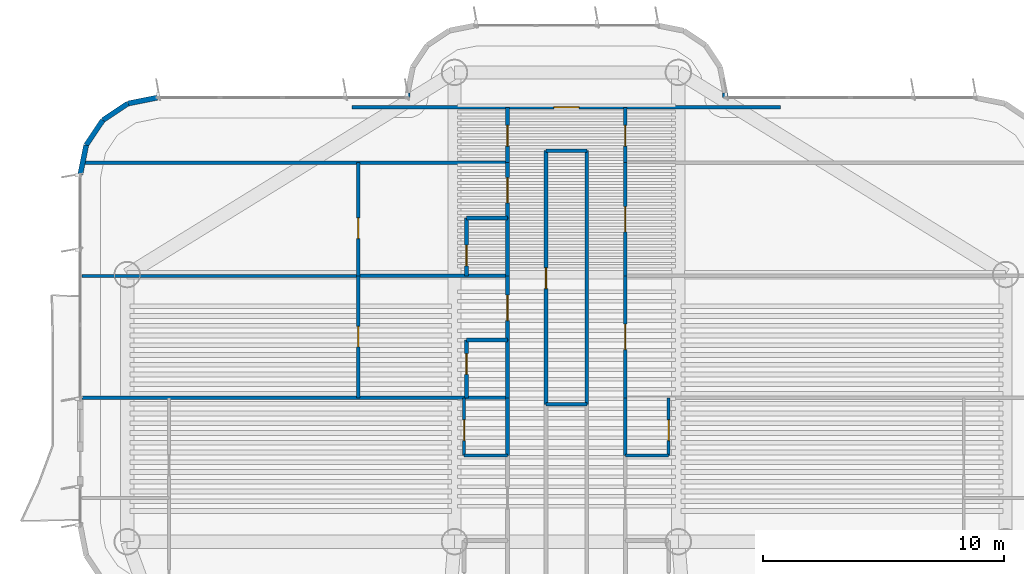
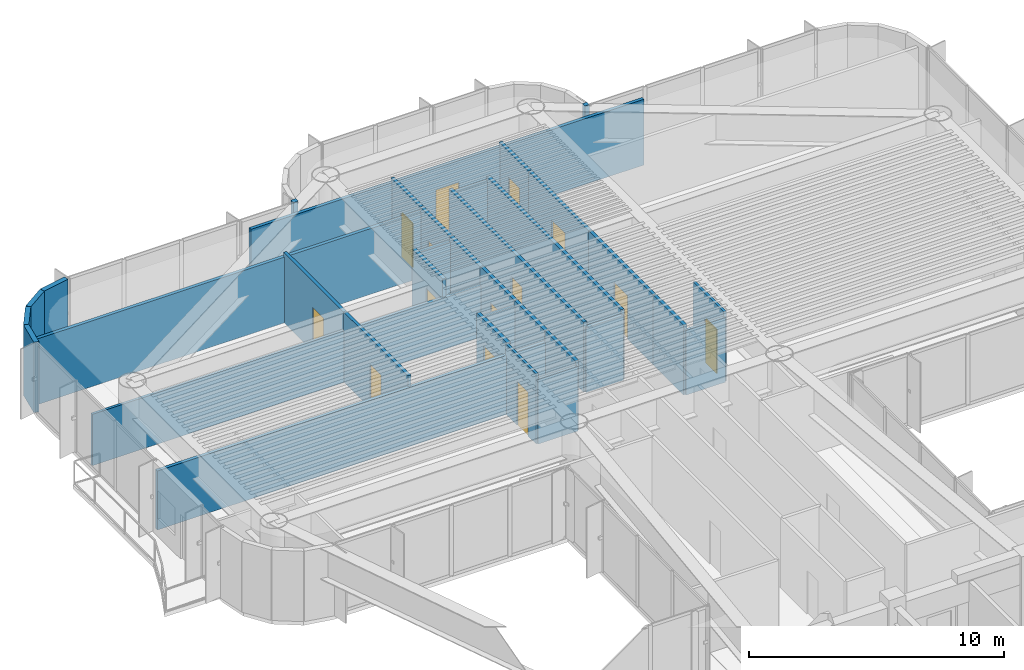
# One storey, part 10 of 13: 35 walls, 14 doors, 14 openings.
"""IFC4 building model written with IfcOpenShell, lengths in metres."""

from ifc_helpers import new_model, si_unit, direction, frame, frame_2d, origin, origin_2d, place, context, subcontext, project, spatial, rectangle, extrude, source, transform, mapped, material, layer, layer_set, type_object, element, fill, save


model = new_model("IFC4")

# Units and contexts
model_context = context("Model", 3, precision=1e-05, world=origin(), true_north=direction((0.0, 1.0)))
body_context = subcontext(model_context, "Body", "Model", "MODEL_VIEW")
ifc_project = project(units=[si_unit("LENGTHUNIT", "METRE"), si_unit("AREAUNIT", "SQUARE_METRE"), si_unit("VOLUMEUNIT", "CUBIC_METRE"), si_unit("PLANEANGLEUNIT", "RADIAN"), si_unit("MASSUNIT", "GRAM", prefix="KILO")], contexts=[model_context])

# Site, building, storey
site_placement = place(None, origin())
site = spatial("IfcSite", under=ifc_project, at=site_placement, CompositionType="ELEMENT")
building_placement = place(site_placement, origin())
building = spatial("IfcBuilding", under=site, at=building_placement, Name="Brelvock Crest Care Tower", CompositionType="ELEMENT")
storey_placement = place(building_placement, frame((0.0, 0.0, 209.340087890625)))
storey = spatial("IfcBuildingStorey", under=building, at=storey_placement, Name="L53", CompositionType="ELEMENT", Elevation=209.340087890625)

# Walls
ifc_material_1 = material(Name="Precast concrete N40 (40 MPa)", Category="concrete")
ifc_layer_1 = layer(ifc_material_1, 0.215087890625, Name="WL-EX2")
ifc_layer_set_1 = layer_set([ifc_layer_1], Name="Precast concrete N40 (40 MPa)")
wall_type_1 = type_object("IfcWallType", Name="WL-EX2", PredefinedType="SOLIDWALL", material=ifc_layer_set_1)
for number, where, z_axis, x_axis, name in (
    (1, (15.800048828125, 50.199951171875, 0.0), (0.0, 0.0, 1.0), (0.195138390419, 0.980775717779, 0.0), "L53 Rounded Corner Wall 18"),
    (2, (16.043701171875, 51.424560546875, 0.0), (0.0, 0.0, 1.0), (0.555557312883, 0.831478245117, 0.0), "L53 Rounded Corner Wall 19"),
    (3, (16.7373046875, 52.462646484375, 0.0), (0.0, 0.0, 1.0), (0.831387912822, 0.555692485475, 0.0), "L53 Rounded Corner Wall 20"),
    (4, (17.775390625, 53.156494140625, 0.0), (0.0, 0.0, 1.0), (0.980813122964, 0.194950295773, 0.0), "L53 Rounded Corner Wall 21"),
):
    element("IfcWall", number, at=place(storey_placement, frame(where, z_axis=z_axis, x_axis=x_axis)), inside=storey, type_object=wall_type_1, Name=name, PredefinedType="SOLIDWALL", context=body_context, shape_type="SweptSolid", body=[
        extrude(rectangle(XDim=1.24853515625, YDim=0.215087890625, at=frame_2d((0.624267578125, 0.0))), origin(), (0.0, 0.0, 1.0), 3.371826171875),
    ])
for number, where, z_axis, x_axis, name in (
    (5, (29.39990234375, 53.39990234375, 0.0), (0.0, 0.0, 1.0), (0.0, 1.0, 0.0), "L53 Rounded Corner Wall 23"),
    (6, (42.60009765625, 53.60009765625, 0.0), (0.0, 0.0, 1.0), (0.0, -1.0, 0.0), "L53 Rounded Corner Wall 33"),
):
    element("IfcWall", number, at=place(storey_placement, frame(where, z_axis=z_axis, x_axis=x_axis)), inside=storey, type_object=wall_type_1, Name=name, PredefinedType="SOLIDWALL", context=body_context, shape_type="SweptSolid", body=[
        extrude(rectangle(XDim=0.2001953125, YDim=0.215087890625, at=frame_2d((0.10009765625, 0.0))), origin(), (0.0, 0.0, 1.0), 3.371826171875),
    ])
ifc_material_2 = material(Name="Masonry Blockwork Acoustic Partition", Category="masonry")
ifc_layer_2 = layer(ifc_material_2, 0.14990234375, Name="WL-INT1")
ifc_layer_set_2 = layer_set([ifc_layer_2], Name="Masonry Blockwork Acoustic Partition")
wall_type_2 = type_object("IfcWallType", Name="WL-INT1", PredefinedType="PARTITIONING", material=ifc_layer_set_2)
wall_1_placement = place(storey_placement, frame((35.14990234375, 40.659912109375, 0.0), z_axis=(0.0, 0.0, 1.0), x_axis=(1.0, 0.0, 0.0)))
element("IfcWall", 7, at=wall_1_placement, inside=storey, type_object=wall_type_2, Name="L53 Interior Wall WL-BX-L53-ISKT-S", PredefinedType="PARTITIONING", context=body_context, shape_type="SweptSolid", body=[
    extrude(rectangle(XDim=1.7001953125, YDim=0.14990234375, at=frame_2d((0.85009765625, 0.0))), origin(), (0.0, 0.0, 1.0), 3.100830078125),
])
wall_2_placement = place(storey_placement, frame((15.8798828125, 40.926025390625, 0.0), z_axis=(0.0, 0.0, 1.0), x_axis=(1.0, 0.0, 0.0)))
element("IfcWall", 8, at=wall_2_placement, inside=storey, type_object=wall_type_2, Name="L53 Interior Wall WL-BX-L53-FL-WF1-N", PredefinedType="PARTITIONING", context=body_context, shape_type="SweptSolid", body=[
    extrude(rectangle(XDim=17.670166015625, YDim=0.14990234375, at=frame_2d((8.8349609375, 0.0))), origin(), (0.0, 0.0, 1.0), 2.823974609375),
])
wall_3_placement = place(storey_placement, frame((27.35009765625, 45.993896484375, 0.0), z_axis=(0.0, 0.0, 1.0), x_axis=(1.0, 0.0, 0.0)))
element("IfcWall", 9, at=wall_3_placement, inside=storey, type_object=wall_type_2, Name="L53 Interior Wall WL-BX-L53-CS-WFC2-N", PredefinedType="PARTITIONING", context=body_context, shape_type="SweptSolid", body=[
    extrude(rectangle(XDim=6.199951171875, YDim=0.14990234375, at=frame_2d((3.10009765625, 0.0))), origin(), (0.0, 0.0, 1.0), 2.45703125),
])
wall_4_placement = place(storey_placement, frame((15.98095703125, 50.699951171875, 0.0), z_axis=(0.0, 0.0, 1.0), x_axis=(1.0, 0.0, 0.0)))
element("IfcWall", 10, at=wall_4_placement, inside=storey, type_object=wall_type_2, Name="L53 Interior Wall WL-BX-L53-NALW-S", PredefinedType="PARTITIONING", context=body_context, shape_type="SweptSolid", body=[
    extrude(rectangle(XDim=17.569091796875, YDim=0.14990234375, at=frame_2d((8.78466796875, 0.0))), origin(), (0.0, 0.0, 1.0), 3.14990234375),
])
wall_5_placement = place(storey_placement, frame((35.14990234375, 51.199951171875, 0.0), z_axis=(0.0, 0.0, 1.0), x_axis=(1.0, 0.0, 0.0)))
element("IfcWall", 11, at=wall_5_placement, inside=storey, type_object=wall_type_2, Name="L53 Interior Wall WL-BX-L53-ISKT-N", PredefinedType="PARTITIONING", context=body_context, shape_type="SweptSolid", body=[
    extrude(rectangle(XDim=1.7001953125, YDim=0.14990234375, at=frame_2d((0.85009765625, 0.0))), origin(), (0.0, 0.0, 1.0), 3.14990234375),
])

# Wall, opening, door
wall_6_placement = place(storey_placement, frame((27.10009765625, 53.0, 0.0), z_axis=(0.0, 0.0, 1.0), x_axis=(1.0, 0.0, 0.0)))
wall_6 = element("IfcWall", 12, at=wall_6_placement, inside=storey, type_object=wall_type_2, Name="L53 Interior Wall WL-RM-L53-NHUB", PredefinedType="PARTITIONING", context=body_context, shape_type="SweptSolid", body=[
    extrude(rectangle(XDim=17.7998046875, YDim=0.14990234375, at=frame_2d((8.89990234375, 0.0))), origin(), (0.0, 0.0, 1.0), 3.14990234375),
])
opening_1_placement = place(wall_6_placement, frame((8.375, 0.0, 0.0)))
opening_1 = element("IfcOpeningElement", 13, at=opening_1_placement, cuts=wall_6, Name="Opening CLD-1", PredefinedType="OPENING", context=body_context, shape_type="SweptSolid", body=[
    extrude(rectangle(XDim=1.050048828125, YDim=2.10009765625, at=origin_2d()), frame((0.52490234375, 0.0849609375, 1.050048828125), z_axis=(0.0, -1.0, 0.0), x_axis=(1.0, 0.0, 0.0)), (0.0, 0.0, 1.0), 0.169921875),
])
ifc_material_3 = material(Name="Engineered Hardwood Timber", Category="wood")
door_type_1 = type_object("IfcDoorType", Name="DR-CLN1", OperationType="NOTDEFINED", PredefinedType="DOOR", material=ifc_material_3)
shared_shape_1 = source(origin(), body_context, "Body", "SweptSolid", [
    extrude(rectangle(XDim=1.050048828125, YDim=2.10009765625, at=origin_2d()), frame((0.52490234375, 0.02490234375, 1.050048828125), z_axis=(0.0, -1.0, 0.0), x_axis=(1.0, 0.0, 0.0)), (0.0, 0.0, 1.0), 0.050048828125),
])
door_1_placement = place(opening_1_placement, origin())
door_1 = element("IfcDoor", 14, at=door_1_placement, inside=storey, type_object=door_type_1, Name="L53 Harbour Lookout Dining Salon Door NHUB", OperationType="SINGLE_SWING_LEFT", OverallHeight=2.10009765625, OverallWidth=1.050048828125, PredefinedType="DOOR", context=body_context, shape_type="MappedRepresentation", body=[
    mapped(shared_shape_1, transform((0.0, 0.0, 0.0), x_axis=(1.0, 0.0, 0.0), y_axis=(0.0, 1.0, 0.0), z_axis=(0.0, 0.0, 1.0), scale=1.0)),
])
fill(opening_1, door_1)

wall_7_placement = place(storey_placement, frame((27.35009765625, 40.926025390625, 0.0), z_axis=(0.0, 0.0, 1.0), x_axis=(0.0, 1.0, 0.0)))
wall_7 = element("IfcWall", 15, at=wall_7_placement, inside=storey, type_object=wall_type_2, Name="L53 Interior Wall WL-RM-L53-WFC2S", PredefinedType="PARTITIONING", context=body_context, shape_type="SweptSolid", body=[
    extrude(rectangle(XDim=5.06787109375, YDim=0.14990234375, at=frame_2d((2.533935546875, 0.0))), origin(), (0.0, 0.0, 1.0), 3.341796875),
])
opening_2_placement = place(wall_7_placement, frame((2.114013671875, 0.0, 0.0)))
opening_2 = element("IfcOpeningElement", 16, at=opening_2_placement, cuts=wall_7, Name="Opening ID-1", PredefinedType="OPENING", context=body_context, shape_type="SweptSolid", body=[
    extrude(rectangle(XDim=0.860107421875, YDim=2.10009765625, at=origin_2d()), frame((0.43017578125, 0.0849609375, 1.050048828125), z_axis=(0.0, -1.0, 0.0), x_axis=(1.0, 0.0, 0.0)), (0.0, 0.0, 1.0), 0.169921875),
])
door_type_2 = type_object("IfcDoorType", Name="DR-INT1", OperationType="NOTDEFINED", PredefinedType="DOOR", material=ifc_material_3)
shared_shape_2 = source(origin(), body_context, "Body", "SweptSolid", [
    extrude(rectangle(XDim=0.860107421875, YDim=2.10009765625, at=origin_2d()), frame((0.43017578125, 0.02490234375, 1.050048828125), z_axis=(0.0, -1.0, 0.0), x_axis=(1.0, 0.0, 0.0)), (0.0, 0.0, 1.0), 0.050048828125),
])
door_2_placement = place(opening_2_placement, origin())
door_2 = element("IfcDoor", 17, at=door_2_placement, inside=storey, type_object=door_type_2, Name="L53 Assisted Care Mobility Store Door WFC2S", OperationType="SINGLE_SWING_LEFT", OverallHeight=2.10009765625, OverallWidth=0.860107421875, PredefinedType="DOOR", context=body_context, shape_type="MappedRepresentation", body=[
    mapped(shared_shape_2, transform((0.0, 0.0, 0.0), x_axis=(1.0, 0.0, 0.0), y_axis=(0.0, 1.0, 0.0), z_axis=(0.0, 0.0, 1.0), scale=1.0)),
])
fill(opening_2, door_2)

wall_8_placement = place(storey_placement, frame((27.35009765625, 45.993896484375, 0.0), z_axis=(0.0, 0.0, 1.0), x_axis=(0.0, 1.0, 0.0)))
wall_8 = element("IfcWall", 18, at=wall_8_placement, inside=storey, type_object=wall_type_2, Name="L53 Interior Wall WL-RM-L53-WFC3S", PredefinedType="PARTITIONING", context=body_context, shape_type="SweptSolid", body=[
    extrude(rectangle(XDim=4.7060546875, YDim=0.14990234375, at=frame_2d((2.35302734375, 0.0))), origin(), (0.0, 0.0, 1.0), 3.341796875),
])
opening_3_placement = place(wall_8_placement, frame((1.5458984375, 0.0, 0.0)))
opening_3 = element("IfcOpeningElement", 19, at=opening_3_placement, cuts=wall_8, Name="Opening ID-1", PredefinedType="OPENING", context=body_context, shape_type="SweptSolid", body=[
    extrude(rectangle(XDim=0.860107421875, YDim=2.10009765625, at=origin_2d()), frame((0.43017578125, 0.0849609375, 1.050048828125), z_axis=(0.0, -1.0, 0.0), x_axis=(1.0, 0.0, 0.0)), (0.0, 0.0, 1.0), 0.169921875),
])
door_3_placement = place(opening_3_placement, origin())
door_3 = element("IfcDoor", 20, at=door_3_placement, inside=storey, type_object=door_type_2, Name="L53 Assisted Care Mobility Store Door WFC3S", OperationType="SINGLE_SWING_LEFT", OverallHeight=2.10009765625, OverallWidth=0.860107421875, PredefinedType="DOOR", context=body_context, shape_type="MappedRepresentation", body=[
    mapped(shared_shape_2, transform((0.0, 0.0, 0.0), x_axis=(1.0, 0.0, 0.0), y_axis=(0.0, 1.0, 0.0), z_axis=(0.0, 0.0, 1.0), scale=1.0)),
])
fill(opening_3, door_3)

# Wall
wall_9_placement = place(storey_placement, frame((33.550048828125, 38.52587890625, 0.0), z_axis=(0.0, 0.0, 1.0), x_axis=(0.0, 1.0, 0.0)))
element("IfcWall", 21, at=wall_9_placement, inside=storey, type_object=wall_type_2, Name="L53 Interior Wall WL-UCK-L53-WF1", PredefinedType="PARTITIONING", context=body_context, shape_type="SweptSolid", body=[
    extrude(rectangle(XDim=2.400146484375, YDim=0.14990234375, at=frame_2d((1.2001953125, 0.0))), origin(), (0.0, 0.0, 1.0), 3.341796875),
])

# Wall, opening, door
wall_10_placement = place(storey_placement, frame((33.550048828125, 43.325927734375, 0.0), z_axis=(0.0, 0.0, 1.0), x_axis=(0.0, 1.0, 0.0)))
wall_10 = element("IfcWall", 22, at=wall_10_placement, inside=storey, type_object=wall_type_2, Name="L53 Interior Wall WL-CENT-L53-WFC2", PredefinedType="PARTITIONING", context=body_context, shape_type="SweptSolid", body=[
    extrude(rectangle(XDim=2.66796875, YDim=0.14990234375, at=frame_2d((1.333984375, 0.0))), origin(), (0.0, 0.0, 1.0), 3.341796875),
])
opening_4_placement = place(wall_10_placement, frame((0.81396484375, 0.0, 0.0)))
opening_4 = element("IfcOpeningElement", 23, at=opening_4_placement, cuts=wall_10, Name="Opening CD-1", PredefinedType="OPENING", context=body_context, shape_type="SweptSolid", body=[
    extrude(rectangle(XDim=1.050048828125, YDim=2.10009765625, at=origin_2d()), frame((0.52490234375, 0.0849609375, 1.050048828125), z_axis=(0.0, -1.0, 0.0), x_axis=(1.0, 0.0, 0.0)), (0.0, 0.0, 1.0), 0.169921875),
])
door_type_3 = type_object("IfcDoorType", Name="DR-CARE1", OperationType="NOTDEFINED", PredefinedType="DOOR", material=ifc_material_3)
shared_shape_3 = source(origin(), body_context, "Body", "SweptSolid", [
    extrude(rectangle(XDim=1.050048828125, YDim=2.10009765625, at=origin_2d()), frame((0.52490234375, 0.02490234375, 1.050048828125), z_axis=(0.0, -1.0, 0.0), x_axis=(1.0, 0.0, 0.0)), (0.0, 0.0, 1.0), 0.050048828125),
])
door_4_placement = place(opening_4_placement, origin())
door_4 = element("IfcDoor", 24, at=door_4_placement, inside=storey, type_object=door_type_3, Name="L53 Care Suite Door WFC2", OperationType="SINGLE_SWING_LEFT", OverallHeight=2.10009765625, OverallWidth=1.050048828125, PredefinedType="DOOR", context=body_context, shape_type="MappedRepresentation", body=[
    mapped(shared_shape_3, transform((0.0, 0.0, 0.0), x_axis=(1.0, 0.0, 0.0), y_axis=(0.0, 1.0, 0.0), z_axis=(0.0, 0.0, 1.0), scale=1.0)),
])
fill(opening_4, door_4)

wall_11_placement = place(storey_placement, frame((33.550048828125, 48.39404296875, 0.0), z_axis=(0.0, 0.0, 1.0), x_axis=(0.0, 1.0, 0.0)))
wall_11 = element("IfcWall", 25, at=wall_11_placement, inside=storey, type_object=wall_type_2, Name="L53 Interior Wall WL-CENT-L53-WFC3", PredefinedType="PARTITIONING", context=body_context, shape_type="SweptSolid", body=[
    extrude(rectangle(XDim=2.305908203125, YDim=0.14990234375, at=frame_2d((1.15283203125, 0.0))), origin(), (0.0, 0.0, 1.0), 3.341796875),
])
opening_5_placement = place(wall_11_placement, frame((0.633056640625, 0.0, 0.0)))
opening_5 = element("IfcOpeningElement", 26, at=opening_5_placement, cuts=wall_11, Name="Opening CD-1", PredefinedType="OPENING", context=body_context, shape_type="SweptSolid", body=[
    extrude(rectangle(XDim=1.050048828125, YDim=2.10009765625, at=origin_2d()), frame((0.52490234375, 0.0849609375, 1.050048828125), z_axis=(0.0, -1.0, 0.0), x_axis=(1.0, 0.0, 0.0)), (0.0, 0.0, 1.0), 0.169921875),
])
door_5_placement = place(opening_5_placement, origin())
door_5 = element("IfcDoor", 27, at=door_5_placement, inside=storey, type_object=door_type_3, Name="L53 Care Suite Door WFC3", OperationType="SINGLE_SWING_LEFT", OverallHeight=2.10009765625, OverallWidth=1.050048828125, PredefinedType="DOOR", context=body_context, shape_type="MappedRepresentation", body=[
    mapped(shared_shape_3, transform((0.0, 0.0, 0.0), x_axis=(1.0, 0.0, 0.0), y_axis=(0.0, 1.0, 0.0), z_axis=(0.0, 0.0, 1.0), scale=1.0)),
])
fill(opening_5, door_5)

wall_12_placement = place(storey_placement, frame((33.550048828125, 50.699951171875, 0.0), z_axis=(0.0, 0.0, 1.0), x_axis=(0.0, 1.0, 0.0)))
wall_12 = element("IfcWall", 28, at=wall_12_placement, inside=storey, type_object=wall_type_2, Name="L53 Interior Wall WL-RM-L53-NALW", PredefinedType="PARTITIONING", context=body_context, shape_type="SweptSolid", body=[
    extrude(rectangle(XDim=2.300048828125, YDim=0.14990234375, at=frame_2d((1.14990234375, 0.0))), origin(), (0.0, 0.0, 1.0), 3.341796875),
])
opening_6_placement = place(wall_12_placement, frame((0.68994140625, 0.0, 0.0)))
opening_6 = element("IfcOpeningElement", 29, at=opening_6_placement, cuts=wall_12, Name="Opening ID-1", PredefinedType="OPENING", context=body_context, shape_type="SweptSolid", body=[
    extrude(rectangle(XDim=0.860107421875, YDim=2.10009765625, at=origin_2d()), frame((0.43017578125, 0.0849609375, 1.050048828125), z_axis=(0.0, -1.0, 0.0), x_axis=(1.0, 0.0, 0.0)), (0.0, 0.0, 1.0), 0.169921875),
])
door_6_placement = place(opening_6_placement, origin())
door_6 = element("IfcDoor", 30, at=door_6_placement, inside=storey, type_object=door_type_2, Name="L53 North West Sun Alcove Door NALW", OperationType="SINGLE_SWING_LEFT", OverallHeight=2.10009765625, OverallWidth=0.860107421875, PredefinedType="DOOR", context=body_context, shape_type="MappedRepresentation", body=[
    mapped(shared_shape_2, transform((0.0, 0.0, 0.0), x_axis=(1.0, 0.0, 0.0), y_axis=(0.0, 1.0, 0.0), z_axis=(0.0, 0.0, 1.0), scale=1.0)),
])
fill(opening_6, door_6)

wall_13_placement = place(storey_placement, frame((35.14990234375, 40.659912109375, 0.0), z_axis=(0.0, 0.0, 1.0), x_axis=(0.0, 1.0, 0.0)))
wall_13 = element("IfcWall", 31, at=wall_13_placement, inside=storey, type_object=wall_type_2, Name="L53 Interior Wall WL-RM-L53-ISKT", PredefinedType="PARTITIONING", context=body_context, shape_type="SweptSolid", body=[
    extrude(rectangle(XDim=10.5400390625, YDim=0.14990234375, at=frame_2d((5.27001953125, 0.0))), origin(), (0.0, 0.0, 1.0), 3.341796875),
])
opening_7_placement = place(wall_13_placement, frame((4.81005859375, 0.0, 0.0)))
opening_7 = element("IfcOpeningElement", 32, at=opening_7_placement, cuts=wall_13, Name="Opening ID-1", PredefinedType="OPENING", context=body_context, shape_type="SweptSolid", body=[
    extrude(rectangle(XDim=0.860107421875, YDim=2.10009765625, at=origin_2d()), frame((0.43017578125, 0.0849609375, 1.050048828125), z_axis=(0.0, -1.0, 0.0), x_axis=(1.0, 0.0, 0.0)), (0.0, 0.0, 1.0), 0.169921875),
])
door_7_placement = place(opening_7_placement, origin())
door_7 = element("IfcDoor", 33, at=door_7_placement, inside=storey, type_object=door_type_2, Name="L53 Communal Tea and Nutrition Pantry Door ISKT", OperationType="SINGLE_SWING_LEFT", OverallHeight=2.10009765625, OverallWidth=0.860107421875, PredefinedType="DOOR", context=body_context, shape_type="MappedRepresentation", body=[
    mapped(shared_shape_2, transform((0.0, 0.0, 0.0), x_axis=(1.0, 0.0, 0.0), y_axis=(0.0, 1.0, 0.0), z_axis=(0.0, 0.0, 1.0), scale=1.0)),
])
fill(opening_7, door_7)

# Walls
wall_14_placement = place(storey_placement, frame((36.85009765625, 40.659912109375, 0.0), z_axis=(0.0, 0.0, 1.0), x_axis=(0.0, 1.0, 0.0)))
element("IfcWall", 34, at=wall_14_placement, inside=storey, type_object=wall_type_2, Name="L53 Interior Wall WL-BX-L53-ISKT-E", PredefinedType="PARTITIONING", context=body_context, shape_type="SweptSolid", body=[
    extrude(rectangle(XDim=10.5400390625, YDim=0.14990234375, at=frame_2d((5.27001953125, 0.0))), origin(), (0.0, 0.0, 1.0), 3.341796875),
])
wall_15_placement = place(storey_placement, frame((38.449951171875, 38.52587890625, 0.0), z_axis=(0.0, 0.0, 1.0), x_axis=(0.0, 1.0, 0.0)))
element("IfcWall", 35, at=wall_15_placement, inside=storey, type_object=wall_type_2, Name="L53 Interior Wall WL-UCK-L53-EF1", PredefinedType="PARTITIONING", context=body_context, shape_type="SweptSolid", body=[
    extrude(rectangle(XDim=2.400146484375, YDim=0.14990234375, at=frame_2d((1.2001953125, 0.0))), origin(), (0.0, 0.0, 1.0), 3.341796875),
])

# Wall, opening, door
wall_16_placement = place(storey_placement, frame((38.449951171875, 40.926025390625, 0.0), z_axis=(0.0, 0.0, 1.0), x_axis=(0.0, 1.0, 0.0)))
wall_16 = element("IfcWall", 36, at=wall_16_placement, inside=storey, type_object=wall_type_2, Name="L53 Interior Wall WL-RM-L53-EFL2", PredefinedType="PARTITIONING", context=body_context, shape_type="SweptSolid", body=[
    extrude(rectangle(XDim=5.06787109375, YDim=0.14990234375, at=frame_2d((2.533935546875, 0.0))), origin(), (0.0, 0.0, 1.0), 3.341796875),
])
opening_8_placement = place(wall_16_placement, frame((2.009033203125, 0.0, 0.0)))
opening_8 = element("IfcOpeningElement", 37, at=opening_8_placement, cuts=wall_16, Name="Opening CLD-1", PredefinedType="OPENING", context=body_context, shape_type="SweptSolid", body=[
    extrude(rectangle(XDim=1.050048828125, YDim=2.10009765625, at=origin_2d()), frame((0.52490234375, 0.0849609375, 1.050048828125), z_axis=(0.0, -1.0, 0.0), x_axis=(1.0, 0.0, 0.0)), (0.0, 0.0, 1.0), 0.169921875),
])
door_8_placement = place(opening_8_placement, origin())
door_8 = element("IfcDoor", 38, at=door_8_placement, inside=storey, type_object=door_type_1, Name="L53 Sky Neighbourhood Drawing Room Door EFL2", OperationType="SINGLE_SWING_LEFT", OverallHeight=2.10009765625, OverallWidth=1.050048828125, PredefinedType="DOOR", context=body_context, shape_type="MappedRepresentation", body=[
    mapped(shared_shape_1, transform((0.0, 0.0, 0.0), x_axis=(1.0, 0.0, 0.0), y_axis=(0.0, 1.0, 0.0), z_axis=(0.0, 0.0, 1.0), scale=1.0)),
])
fill(opening_8, door_8)

wall_17_placement = place(storey_placement, frame((38.449951171875, 45.993896484375, 0.0), z_axis=(0.0, 0.0, 1.0), x_axis=(0.0, 1.0, 0.0)))
wall_17 = element("IfcWall", 39, at=wall_17_placement, inside=storey, type_object=wall_type_2, Name="L53 Interior Wall WL-RM-L53-EFL3", PredefinedType="PARTITIONING", context=body_context, shape_type="SweptSolid", body=[
    extrude(rectangle(XDim=4.7060546875, YDim=0.14990234375, at=frame_2d((2.35302734375, 0.0))), origin(), (0.0, 0.0, 1.0), 3.341796875),
])
opening_9_placement = place(wall_17_placement, frame((1.827880859375, 0.0, 0.0)))
opening_9 = element("IfcOpeningElement", 40, at=opening_9_placement, cuts=wall_17, Name="Opening CLD-1", PredefinedType="OPENING", context=body_context, shape_type="SweptSolid", body=[
    extrude(rectangle(XDim=1.050048828125, YDim=2.10009765625, at=origin_2d()), frame((0.52490234375, 0.0849609375, 1.050048828125), z_axis=(0.0, -1.0, 0.0), x_axis=(1.0, 0.0, 0.0)), (0.0, 0.0, 1.0), 0.169921875),
])
door_9_placement = place(opening_9_placement, origin())
door_9 = element("IfcDoor", 41, at=door_9_placement, inside=storey, type_object=door_type_1, Name="L53 Sky Neighbourhood Drawing Room Door EFL3", OperationType="SINGLE_SWING_LEFT", OverallHeight=2.10009765625, OverallWidth=1.050048828125, PredefinedType="DOOR", context=body_context, shape_type="MappedRepresentation", body=[
    mapped(shared_shape_1, transform((0.0, 0.0, 0.0), x_axis=(1.0, 0.0, 0.0), y_axis=(0.0, 1.0, 0.0), z_axis=(0.0, 0.0, 1.0), scale=1.0)),
])
fill(opening_9, door_9)

wall_18_placement = place(storey_placement, frame((38.449951171875, 50.699951171875, 0.0), z_axis=(0.0, 0.0, 1.0), x_axis=(0.0, 1.0, 0.0)))
wall_18 = element("IfcWall", 42, at=wall_18_placement, inside=storey, type_object=wall_type_2, Name="L53 Interior Wall WL-RM-L53-NALE", PredefinedType="PARTITIONING", context=body_context, shape_type="SweptSolid", body=[
    extrude(rectangle(XDim=2.300048828125, YDim=0.14990234375, at=frame_2d((1.14990234375, 0.0))), origin(), (0.0, 0.0, 1.0), 3.341796875),
])
opening_10_placement = place(wall_18_placement, frame((0.68994140625, 0.0, 0.0)))
opening_10 = element("IfcOpeningElement", 43, at=opening_10_placement, cuts=wall_18, Name="Opening ID-1", PredefinedType="OPENING", context=body_context, shape_type="SweptSolid", body=[
    extrude(rectangle(XDim=0.860107421875, YDim=2.10009765625, at=origin_2d()), frame((0.43017578125, 0.0849609375, 1.050048828125), z_axis=(0.0, -1.0, 0.0), x_axis=(1.0, 0.0, 0.0)), (0.0, 0.0, 1.0), 0.169921875),
])
door_10_placement = place(opening_10_placement, origin())
door_10 = element("IfcDoor", 44, at=door_10_placement, inside=storey, type_object=door_type_2, Name="L53 North East Tea Alcove Door NALE", OperationType="SINGLE_SWING_LEFT", OverallHeight=2.10009765625, OverallWidth=0.860107421875, PredefinedType="DOOR", context=body_context, shape_type="MappedRepresentation", body=[
    mapped(shared_shape_2, transform((0.0, 0.0, 0.0), x_axis=(1.0, 0.0, 0.0), y_axis=(0.0, 1.0, 0.0), z_axis=(0.0, 0.0, 1.0), scale=1.0)),
])
fill(opening_10, door_10)

# Walls
ifc_material_4 = material(Name="Gypsum Plasterboard Partition", Category="gypsum")
ifc_layer_3 = layer(ifc_material_4, 0.1201171875, Name="WL-INT2")
ifc_layer_set_3 = layer_set([ifc_layer_3], Name="Gypsum Plasterboard Partition")
wall_type_3 = type_object("IfcWallType", Name="WL-INT2", PredefinedType="PARTITIONING", material=ifc_layer_set_3)
for number, where, z_axis, x_axis, name in (
    (45, (31.75, 38.52587890625, 0.0), (0.0, 0.0, 1.0), (1.0, 0.0, 0.0), "L53 Interior Wall WL-UKIT2-L53-WF1"),
    (46, (38.449951171875, 38.52587890625, 0.0), (0.0, 0.0, 1.0), (1.0, 0.0, 0.0), "L53 Interior Wall WL-UKIT2-L53-EF1"),
):
    element("IfcWall", number, at=place(storey_placement, frame(where, z_axis=z_axis, x_axis=x_axis)), inside=storey, type_object=wall_type_3, Name=name, PredefinedType="PARTITIONING", context=body_context, shape_type="SweptSolid", body=[
        extrude(rectangle(XDim=1.800048828125, YDim=0.1201171875, at=frame_2d((0.89990234375, 0.0))), origin(), (0.0, 0.0, 1.0), 3.100830078125),
    ])
wall_19_placement = place(storey_placement, frame((15.8798828125, 45.993896484375, 0.0), z_axis=(0.0, 0.0, 1.0), x_axis=(1.0, 0.0, 0.0)))
element("IfcWall", 47, at=wall_19_placement, inside=storey, type_object=wall_type_3, Name="L53 Interior Wall WL-BX-L53-WFC2S-N", PredefinedType="PARTITIONING", context=body_context, shape_type="SweptSolid", body=[
    extrude(rectangle(XDim=11.47021484375, YDim=0.1201171875, at=frame_2d((5.735107421875, 0.0))), origin(), (0.0, 0.0, 1.0), 2.45703125),
])

# Wall, opening, door
wall_20_placement = place(storey_placement, frame((31.75, 38.52587890625, 0.0), z_axis=(0.0, 0.0, 1.0), x_axis=(0.0, 1.0, 0.0)))
wall_20 = element("IfcWall", 48, at=wall_20_placement, inside=storey, type_object=wall_type_3, Name="L53 Interior Wall WL-UKIT1-L53-WF1", PredefinedType="PARTITIONING", context=body_context, shape_type="SweptSolid", body=[
    extrude(rectangle(XDim=2.400146484375, YDim=0.1201171875, at=frame_2d((1.2001953125, 0.0))), origin(), (0.0, 0.0, 1.0), 3.341796875),
])
opening_11_placement = place(wall_20_placement, frame((0.6201171875, 0.0, 0.0)))
opening_11 = element("IfcOpeningElement", 49, at=opening_11_placement, cuts=wall_20, Name="Opening ID-1", PredefinedType="OPENING", context=body_context, shape_type="SweptSolid", body=[
    extrude(rectangle(XDim=0.860107421875, YDim=2.10009765625, at=origin_2d()), frame((0.43017578125, 0.070068359375, 1.050048828125), z_axis=(0.0, -1.0, 0.0), x_axis=(1.0, 0.0, 0.0)), (0.0, 0.0, 1.0), 0.14013671875),
])
door_11_placement = place(opening_11_placement, origin())
door_11 = element("IfcDoor", 50, at=door_11_placement, inside=storey, type_object=door_type_2, Name="L53 Kitchen Door WF1", OperationType="SINGLE_SWING_LEFT", OverallHeight=2.10009765625, OverallWidth=0.860107421875, PredefinedType="DOOR", context=body_context, shape_type="MappedRepresentation", body=[
    mapped(shared_shape_2, transform((0.0, 0.0, 0.0), x_axis=(1.0, 0.0, 0.0), y_axis=(0.0, 1.0, 0.0), z_axis=(0.0, 0.0, 1.0), scale=1.0)),
])
fill(opening_11, door_11)

wall_21_placement = place(storey_placement, frame((40.25, 38.52587890625, 0.0), z_axis=(0.0, 0.0, 1.0), x_axis=(0.0, 1.0, 0.0)))
wall_21 = element("IfcWall", 51, at=wall_21_placement, inside=storey, type_object=wall_type_3, Name="L53 Interior Wall WL-UKIT1-L53-EF1", PredefinedType="PARTITIONING", context=body_context, shape_type="SweptSolid", body=[
    extrude(rectangle(XDim=2.400146484375, YDim=0.1201171875, at=frame_2d((1.2001953125, 0.0))), origin(), (0.0, 0.0, 1.0), 3.341796875),
])
opening_12_placement = place(wall_21_placement, frame((0.6201171875, 0.0, 0.0)))
opening_12 = element("IfcOpeningElement", 52, at=opening_12_placement, cuts=wall_21, Name="Opening ID-1", PredefinedType="OPENING", context=body_context, shape_type="SweptSolid", body=[
    extrude(rectangle(XDim=0.860107421875, YDim=2.10009765625, at=origin_2d()), frame((0.43017578125, 0.070068359375, 1.050048828125), z_axis=(0.0, -1.0, 0.0), x_axis=(1.0, 0.0, 0.0)), (0.0, 0.0, 1.0), 0.14013671875),
])
door_12_placement = place(opening_12_placement, origin())
door_12 = element("IfcDoor", 53, at=door_12_placement, inside=storey, type_object=door_type_2, Name="L53 Kitchen Door EF1", OperationType="SINGLE_SWING_RIGHT", OverallHeight=2.10009765625, OverallWidth=0.860107421875, PredefinedType="DOOR", context=body_context, shape_type="MappedRepresentation", body=[
    mapped(shared_shape_2, transform((0.0, 0.0, 0.0), x_axis=(1.0, 0.0, 0.0), y_axis=(0.0, 1.0, 0.0), z_axis=(0.0, 0.0, 1.0), scale=1.0)),
])
fill(opening_12, door_12)

# Walls
ifc_layer_4 = layer(ifc_material_4, 0.159912109375, Name="WL-PLM1")
ifc_layer_set_4 = layer_set([ifc_layer_4], Name="Gypsum Plasterboard Partition")
wall_type_4 = type_object("IfcWallType", Name="WL-PLM1", PredefinedType="PLUMBINGWALL", material=ifc_layer_set_4)
for number, where, z_axis, x_axis, name in (
    (54, (31.85009765625, 43.325927734375, 0.0), (0.0, 0.0, 1.0), (1.0, 0.0, 0.0), "L53 Interior Wall WL-CENS2-L53-WFC2"),
    (55, (31.85009765625, 48.39404296875, 0.0), (0.0, 0.0, 1.0), (1.0, 0.0, 0.0), "L53 Interior Wall WL-CENS2-L53-WFC3"),
):
    element("IfcWall", number, at=place(storey_placement, frame(where, z_axis=z_axis, x_axis=x_axis)), inside=storey, type_object=wall_type_4, Name=name, PredefinedType="PLUMBINGWALL", context=body_context, shape_type="SweptSolid", body=[
        extrude(rectangle(XDim=1.699951171875, YDim=0.159912109375, at=frame_2d((0.85009765625, 0.0))), origin(), (0.0, 0.0, 1.0), 3.100830078125),
    ])

# Wall, opening, door
wall_22_placement = place(storey_placement, frame((31.85009765625, 40.926025390625, 0.0), z_axis=(0.0, 0.0, 1.0), x_axis=(0.0, 1.0, 0.0)))
wall_22 = element("IfcWall", 56, at=wall_22_placement, inside=storey, type_object=wall_type_4, Name="L53 Interior Wall WL-CENS1-L53-WFC2", PredefinedType="PLUMBINGWALL", context=body_context, shape_type="SweptSolid", body=[
    extrude(rectangle(XDim=2.39990234375, YDim=0.159912109375, at=frame_2d((1.199951171875, 0.0))), origin(), (0.0, 0.0, 1.0), 3.341796875),
])
opening_13_placement = place(wall_22_placement, frame((0.97998046875, 0.0, 0.0)))
opening_13 = element("IfcOpeningElement", 57, at=opening_13_placement, cuts=wall_22, Name="Opening WD-1", PredefinedType="OPENING", context=body_context, shape_type="SweptSolid", body=[
    extrude(rectangle(XDim=0.860107421875, YDim=2.10009765625, at=origin_2d()), frame((0.43017578125, 0.08984375, 1.050048828125), z_axis=(0.0, -1.0, 0.0), x_axis=(1.0, 0.0, 0.0)), (0.0, 0.0, 1.0), 0.179931640625),
])
door_type_4 = type_object("IfcDoorType", Name="DR-WC1", OperationType="NOTDEFINED", PredefinedType="DOOR", material=ifc_material_3)
shared_shape_4 = source(origin(), body_context, "Body", "SweptSolid", [
    extrude(rectangle(XDim=0.860107421875, YDim=2.10009765625, at=origin_2d()), frame((0.43017578125, 0.02490234375, 1.050048828125), z_axis=(0.0, -1.0, 0.0), x_axis=(1.0, 0.0, 0.0)), (0.0, 0.0, 1.0), 0.050048828125),
])
door_13_placement = place(opening_13_placement, origin())
door_13 = element("IfcDoor", 58, at=door_13_placement, inside=storey, type_object=door_type_4, Name="L53 Care En-Suite Door WFC2", OperationType="SINGLE_SWING_LEFT", OverallHeight=2.10009765625, OverallWidth=0.860107421875, PredefinedType="DOOR", context=body_context, shape_type="MappedRepresentation", body=[
    mapped(shared_shape_4, transform((0.0, 0.0, 0.0), x_axis=(1.0, 0.0, 0.0), y_axis=(0.0, 1.0, 0.0), z_axis=(0.0, 0.0, 1.0), scale=1.0)),
])
fill(opening_13, door_13)

wall_23_placement = place(storey_placement, frame((31.85009765625, 45.993896484375, 0.0), z_axis=(0.0, 0.0, 1.0), x_axis=(0.0, 1.0, 0.0)))
wall_23 = element("IfcWall", 59, at=wall_23_placement, inside=storey, type_object=wall_type_4, Name="L53 Interior Wall WL-CENS1-L53-WFC3", PredefinedType="PLUMBINGWALL", context=body_context, shape_type="SweptSolid", body=[
    extrude(rectangle(XDim=2.400146484375, YDim=0.159912109375, at=frame_2d((1.2001953125, 0.0))), origin(), (0.0, 0.0, 1.0), 3.341796875),
])
opening_14_placement = place(wall_23_placement, frame((0.419921875, 0.0, 0.0)))
opening_14 = element("IfcOpeningElement", 60, at=opening_14_placement, cuts=wall_23, Name="Opening WD-1", PredefinedType="OPENING", context=body_context, shape_type="SweptSolid", body=[
    extrude(rectangle(XDim=0.860107421875, YDim=2.10009765625, at=origin_2d()), frame((0.43017578125, 0.08984375, 1.050048828125), z_axis=(0.0, -1.0, 0.0), x_axis=(1.0, 0.0, 0.0)), (0.0, 0.0, 1.0), 0.179931640625),
])
door_14_placement = place(opening_14_placement, origin())
door_14 = element("IfcDoor", 61, at=door_14_placement, inside=storey, type_object=door_type_4, Name="L53 Care En-Suite Door WFC3", OperationType="SINGLE_SWING_LEFT", OverallHeight=2.10009765625, OverallWidth=0.860107421875, PredefinedType="DOOR", context=body_context, shape_type="MappedRepresentation", body=[
    mapped(shared_shape_4, transform((0.0, 0.0, 0.0), x_axis=(1.0, 0.0, 0.0), y_axis=(0.0, 1.0, 0.0), z_axis=(0.0, 0.0, 1.0), scale=1.0)),
])
fill(opening_14, door_14)

# Walls
wall_24_placement = place(storey_placement, frame((33.550048828125, 40.926025390625, 0.0), z_axis=(0.0, 0.0, 1.0), x_axis=(0.0, 1.0, 0.0)))
element("IfcWall", 62, at=wall_24_placement, inside=storey, type_object=wall_type_4, Name="L53 Interior Wall WL-CENS0-L53-WFC2", PredefinedType="PLUMBINGWALL", context=body_context, shape_type="SweptSolid", body=[
    extrude(rectangle(XDim=2.39990234375, YDim=0.159912109375, at=frame_2d((1.199951171875, 0.0))), origin(), (0.0, 0.0, 1.0), 3.341796875),
])
wall_25_placement = place(storey_placement, frame((33.550048828125, 45.993896484375, 0.0), z_axis=(0.0, 0.0, 1.0), x_axis=(0.0, 1.0, 0.0)))
element("IfcWall", 63, at=wall_25_placement, inside=storey, type_object=wall_type_4, Name="L53 Interior Wall WL-CENS0-L53-WFC3", PredefinedType="PLUMBINGWALL", context=body_context, shape_type="SweptSolid", body=[
    extrude(rectangle(XDim=2.400146484375, YDim=0.159912109375, at=frame_2d((1.2001953125, 0.0))), origin(), (0.0, 0.0, 1.0), 3.341796875),
])

save(model, "model.ifc")
